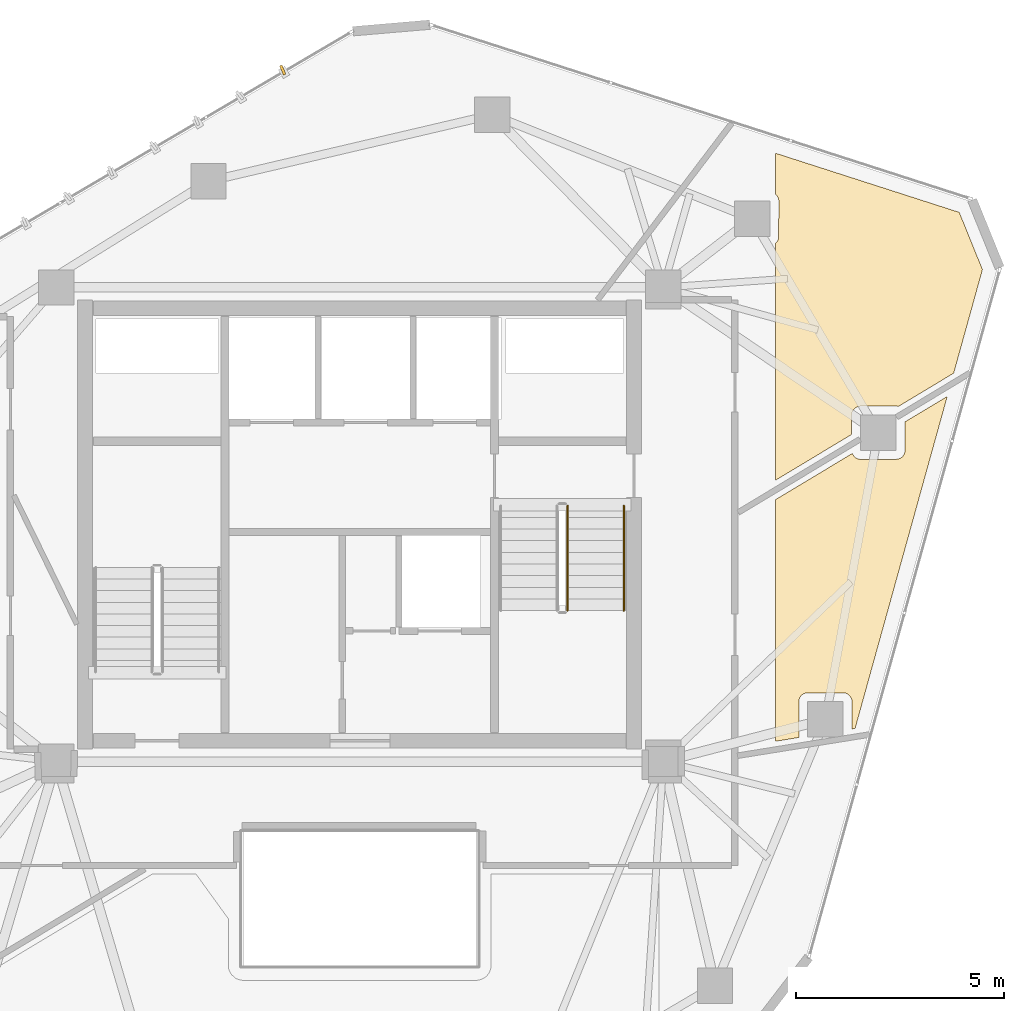
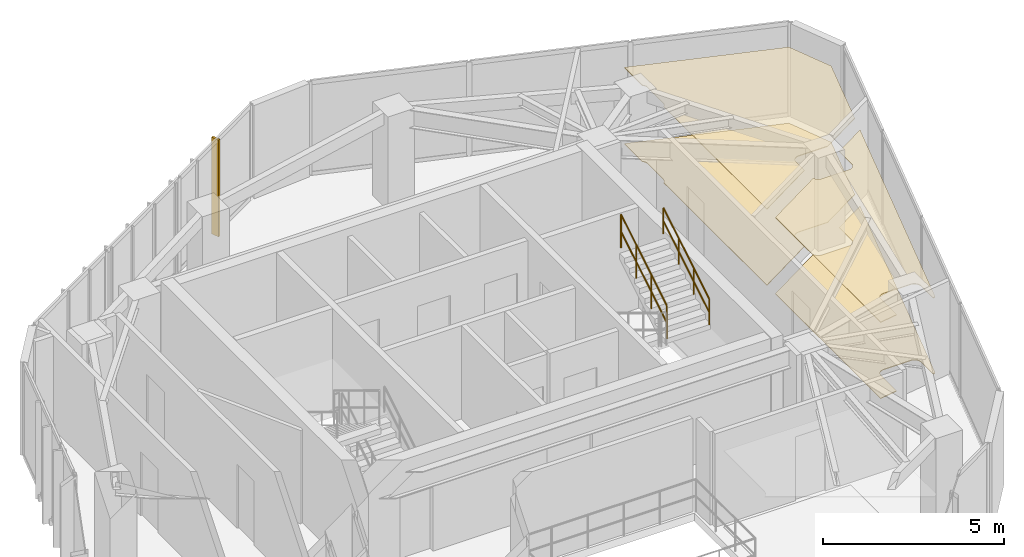
# One storey, part 20 of 20: 4 coverings, 2 railings, 1 shading device.
"""IFC4 building model written with IfcOpenShell, lengths in metres."""

from ifc_helpers import new_model, si_unit, direction, frame, origin, origin_2d, place, context, subcontext, project, spatial, polyline, rectangle, circle, outline, extrude, source, transform, mapped, material, layer, layer_set, type_object, type_shapes, element, save


model = new_model("IFC4")

# Units and contexts
model_context = context("Model", 3, precision=1e-05, world=origin(), true_north=direction((0.0, 1.0)))
body_context = subcontext(model_context, "Body", "Model", "MODEL_VIEW")
ifc_project = project(units=[si_unit("LENGTHUNIT", "METRE"), si_unit("AREAUNIT", "SQUARE_METRE"), si_unit("VOLUMEUNIT", "CUBIC_METRE"), si_unit("PLANEANGLEUNIT", "RADIAN"), si_unit("MASSUNIT", "GRAM", prefix="KILO")], contexts=[model_context])

# Site, building, storey
site_placement = place(None, origin())
site = spatial("IfcSite", under=ifc_project, at=site_placement, CompositionType="ELEMENT")
building_placement = place(site_placement, origin())
building = spatial("IfcBuilding", under=site, at=building_placement, Name="Talar Marvaseh", CompositionType="ELEMENT")
storey_placement = place(building_placement, frame((0.0, 0.0, 254.39990234375)))
storey = spatial("IfcBuildingStorey", under=building, at=storey_placement, Name="L67", CompositionType="ELEMENT", Elevation=254.39990234375)

# Railings
ifc_material_1 = material(Name="Stainless Steel Grade 316", Category="steel")
railing_type_1 = type_object("IfcRailingType", Name="Brushed Stainless Wall Pitch Handrail 900", PredefinedType="HANDRAIL", material=ifc_material_1)
railing_1_placement = place(storey_placement, frame((32.35009765625, 29.1298828125, 1.8701171875)))
element("IfcRailing", 1, at=railing_1_placement, inside=storey, type_object=railing_type_1, Name="L67 ST-2 stair handrail 2", PredefinedType="HANDRAIL", context=body_context, shape_type="SweptSolid", body=[
    extrude(circle(Radius=0.02392578125, at=origin_2d()), frame((0.0, 0.0, 0.8759765625), z_axis=(0.0, 0.85478489116, 0.518982456201), x_axis=(-1.0, 0.0, 0.0)), (0.0, 0.0, 1.0), 2.9482421875),
    extrude(circle(Radius=0.02392578125, at=origin_2d()), frame((0.0, 0.0, 0.42578125), z_axis=(0.0, 0.85478489116, 0.518982456201), x_axis=(-1.0, 0.0, 0.0)), (0.0, 0.0, 1.0), 2.9482421875),
    extrude(circle(Radius=0.02099609375, at=origin_2d()), origin(), (0.0, 0.0, 1.0), 0.851806640625),
    extrude(circle(Radius=0.02099609375, at=origin_2d()), frame((0.0, 0.840087890625, 0.510009765625)), (0.0, 0.0, 1.0), 0.851806640625),
    extrude(circle(Radius=0.02099609375, at=origin_2d()), frame((0.0, 1.679931640625, 1.02001953125)), (0.0, 0.0, 1.0), 0.851806640625),
    extrude(circle(Radius=0.02099609375, at=origin_2d()), frame((0.0, 2.52001953125, 1.530029296875)), (0.0, 0.0, 1.0), 0.851806640625),
])
railing_type_2 = type_object("IfcRailingType", Name="Painted Steel Core Stair Well Guardrail 1150", PredefinedType="GUARDRAIL", material=ifc_material_1)
railing_2_placement = place(storey_placement, frame((31.0, 29.1298828125, 1.8701171875)))
element("IfcRailing", 2, at=railing_2_placement, inside=storey, type_object=railing_type_2, Name="L67 ST-2 stair guard 3", PredefinedType="GUARDRAIL", context=body_context, shape_type="SweptSolid", body=[
    extrude(circle(Radius=0.02392578125, at=origin_2d()), frame((0.0, 0.0, 1.1259765625), z_axis=(0.0, 0.85478489116, 0.518982456201), x_axis=(-1.0, 0.0, 0.0)), (0.0, 0.0, 1.0), 2.9482421875),
    extrude(circle(Radius=0.02392578125, at=origin_2d()), frame((0.0, 0.0, 0.55078125), z_axis=(0.0, 0.85478489116, 0.518982456201), x_axis=(-1.0, 0.0, 0.0)), (0.0, 0.0, 1.0), 2.9482421875),
    extrude(circle(Radius=0.02099609375, at=origin_2d()), origin(), (0.0, 0.0, 1.0), 1.101806640625),
    extrude(circle(Radius=0.02099609375, at=origin_2d()), frame((0.0, 0.840087890625, 0.510009765625)), (0.0, 0.0, 1.0), 1.101806640625),
    extrude(circle(Radius=0.02099609375, at=origin_2d()), frame((0.0, 1.679931640625, 1.02001953125)), (0.0, 0.0, 1.0), 1.101806640625),
    extrude(circle(Radius=0.02099609375, at=origin_2d()), frame((0.0, 2.52001953125, 1.530029296875)), (0.0, 0.0, 1.0), 1.101806640625),
])

# Coverings
ifc_material_2 = material(Name="Mineral Fibre Acoustic Ceiling")
ifc_layer_1 = layer(ifc_material_2, 0.02490234375)
ifc_layer_set_1 = layer_set([ifc_layer_1], Name="Mineral Fibre Acoustic Ceiling")
covering_type_1 = type_object("IfcCoveringType", Name="Perforated Mineral Fibre Acoustic Suspended Ceiling", PredefinedType="CEILING", material=ifc_layer_set_1)
covering_1_placement = place(storey_placement, frame((0.0, 0.0, 2.56005859375)))
element("IfcCovering", 3, at=covering_1_placement, inside=storey, type_object=covering_type_1, Name="L67 Artisan Craft Showroom Acoustic Ceiling", PredefinedType="CEILING", context=body_context, shape_type="SweptSolid", body=[
    extrude(outline(polyline([(37.8486328125, 32.89892578125), (37.8583984375, 32.880126953125), (37.869873046875, 32.8623046875), (37.880615234375, 32.847900390625), (37.892333984375, 32.83349609375), (37.905517578125, 32.820068359375), (37.919921875, 32.80810546875), (37.935302734375, 32.797119140625), (37.95166015625, 32.7880859375), (37.96875, 32.780517578125), (37.986572265625, 32.7744140625), (38.004638671875, 32.77001953125), (38.023193359375, 32.767333984375), (38.0419921875, 32.7666015625), (38.90478515625, 32.7685546875), (38.92431640625, 32.76953125), (38.943603515625, 32.7724609375), (38.962646484375, 32.777099609375), (38.98095703125, 32.78369140625), (38.998779296875, 32.792236328125), (39.015380859375, 32.80224609375), (39.03125, 32.81396484375), (39.045654296875, 32.826904296875), (39.058837890625, 32.841552734375), (39.070556640625, 32.857177734375), (39.08056640625, 32.8740234375), (39.08740234375, 32.886474609375), (39.095703125, 32.904296875), (39.102294921875, 32.9228515625), (39.107177734375, 32.94189453125), (39.110107421875, 32.96142578125), (39.111083984375, 32.98095703125), (39.111083984375, 33.668212890625), (40.12646484375, 34.2783203125), (37.91162109375, 26.296142578125), (37.83349609375, 26.283447265625), (37.8369140625, 26.939453125), (37.836181640625, 26.9580078125), (37.83349609375, 26.9765625), (37.829345703125, 26.994873046875), (37.823486328125, 27.012451171875), (37.81591796875, 27.029541015625), (37.806884765625, 27.0458984375), (37.79638671875, 27.061279296875), (37.784423828125, 27.07568359375), (37.771240234375, 27.088623046875), (37.75634765625, 27.102294921875), (37.741943359375, 27.114013671875), (37.726806640625, 27.12451171875), (37.71044921875, 27.13330078125), (37.693603515625, 27.140869140625), (37.67578125, 27.146484375), (37.65771484375, 27.15087890625), (37.639404296875, 27.1533203125), (37.62109375, 27.154052734375), (36.760498046875, 27.149658203125), (36.74072265625, 27.1484375), (36.721435546875, 27.1455078125), (36.702392578125, 27.140625), (36.68408203125, 27.134033203125), (36.66650390625, 27.125732421875), (36.64990234375, 27.115478515625), (36.634033203125, 27.103759765625), (36.61962890625, 27.0908203125), (36.6064453125, 27.076171875), (36.594970703125, 27.060302734375), (36.5849609375, 27.043701171875), (36.576416015625, 27.02587890625), (36.570068359375, 27.007568359375), (36.565185546875, 26.988525390625), (36.5625, 26.968994140625), (36.561279296875, 26.94970703125), (36.561279296875, 26.078857421875), (36.0, 25.98828125), (36.0, 31.798828125), (37.84521484375, 32.90771484375), (37.8486328125, 32.89892578125)])), origin(), (0.0, 0.0, 1.0), 0.025146484375),
])
covering_2_placement = place(storey_placement, frame((0.0, 0.0, 2.56005859375)))
element("IfcCovering", 4, at=covering_2_placement, inside=storey, type_object=covering_type_1, Name="L67 Collection Conservation Store Acoustic Ceiling", PredefinedType="CEILING", context=body_context, shape_type="SweptSolid", body=[
    extrude(outline(polyline([(38.915283203125, 34.045166015625), (38.89697265625, 34.0458984375), (38.037109375, 34.04345703125), (38.017578125, 34.04248046875), (37.998291015625, 34.03955078125), (37.979248046875, 34.034912109375), (37.9609375, 34.0283203125), (37.943115234375, 34.019775390625), (37.926513671875, 34.009765625), (37.910888671875, 33.998046875), (37.896240234375, 33.98486328125), (37.88330078125, 33.970458984375), (37.87158203125, 33.95458984375), (37.861328125, 33.93798828125), (37.854736328125, 33.925537109375), (37.84619140625, 33.90771484375), (37.839599609375, 33.88916015625), (37.8349609375, 33.8701171875), (37.83203125, 33.8505859375), (37.8310546875, 33.8310546875), (37.8310546875, 33.36572265625), (36.0, 32.265625), (36.0, 37.96044921875), (36.0, 37.96044921875), (36.0146484375, 37.9736328125), (36.02783203125, 37.988037109375), (36.03955078125, 38.00390625), (36.0498046875, 38.0205078125), (36.05810546875, 38.0380859375), (36.064697265625, 38.056640625), (36.069580078125, 38.075439453125), (36.072509765625, 38.094970703125), (36.073486328125, 38.114501953125), (36.077880859375, 38.9765625), (36.0771484375, 38.9951171875), (36.07470703125, 39.013671875), (36.0703125, 39.03173828125), (36.064453125, 39.049560546875), (36.056884765625, 39.066650390625), (36.0478515625, 39.0830078125), (36.037353515625, 39.09814453125), (36.025390625, 39.112548828125), (36.01220703125, 39.125732421875), (36.0, 39.13671875), (36.0, 40.126708984375), (40.416015625, 38.705078125), (40.973388671875, 37.330322265625), (40.281982421875, 34.83837890625), (38.950927734375, 34.03857421875), (38.933837890625, 34.04248046875), (38.915283203125, 34.045166015625)])), origin(), (0.0, 0.0, 1.0), 0.025146484375),
])
ifc_material_3 = material(Name="Porcelain Stoneware Tile", Category="masonry")
ifc_layer_2 = layer(ifc_material_3, 0.02001953125)
ifc_layer_set_2 = layer_set([ifc_layer_2], Name="Porcelain Stoneware Tile")
covering_type_2 = type_object("IfcCoveringType", Name="Polished Porcelain Stoneware Gallery Flooring", PredefinedType="FLOORING", material=ifc_layer_set_2)
covering_3_placement = place(storey_placement, origin())
element("IfcCovering", 5, at=covering_3_placement, inside=storey, type_object=covering_type_2, Name="L67 Artisan Craft Showroom Flooring", PredefinedType="FLOORING", context=body_context, shape_type="SweptSolid", body=[
    extrude(outline(polyline([(37.8486328125, 32.89892578125), (37.8583984375, 32.880126953125), (37.869873046875, 32.8623046875), (37.880615234375, 32.847900390625), (37.892333984375, 32.83349609375), (37.905517578125, 32.820068359375), (37.919921875, 32.80810546875), (37.935302734375, 32.797119140625), (37.95166015625, 32.7880859375), (37.96875, 32.780517578125), (37.986572265625, 32.7744140625), (38.004638671875, 32.77001953125), (38.023193359375, 32.767333984375), (38.0419921875, 32.7666015625), (38.90478515625, 32.7685546875), (38.92431640625, 32.76953125), (38.943603515625, 32.7724609375), (38.962646484375, 32.777099609375), (38.98095703125, 32.78369140625), (38.998779296875, 32.792236328125), (39.015380859375, 32.80224609375), (39.03125, 32.81396484375), (39.045654296875, 32.826904296875), (39.058837890625, 32.841552734375), (39.070556640625, 32.857177734375), (39.08056640625, 32.8740234375), (39.08740234375, 32.886474609375), (39.095703125, 32.904296875), (39.102294921875, 32.9228515625), (39.107177734375, 32.94189453125), (39.110107421875, 32.96142578125), (39.111083984375, 32.98095703125), (39.111083984375, 33.668212890625), (40.12646484375, 34.2783203125), (37.91162109375, 26.296142578125), (37.83349609375, 26.283447265625), (37.8369140625, 26.939453125), (37.836181640625, 26.9580078125), (37.83349609375, 26.9765625), (37.829345703125, 26.994873046875), (37.823486328125, 27.012451171875), (37.81591796875, 27.029541015625), (37.806884765625, 27.0458984375), (37.79638671875, 27.061279296875), (37.784423828125, 27.07568359375), (37.771240234375, 27.088623046875), (37.75634765625, 27.102294921875), (37.741943359375, 27.114013671875), (37.726806640625, 27.12451171875), (37.71044921875, 27.13330078125), (37.693603515625, 27.140869140625), (37.67578125, 27.146484375), (37.65771484375, 27.15087890625), (37.639404296875, 27.1533203125), (37.62109375, 27.154052734375), (36.760498046875, 27.149658203125), (36.74072265625, 27.1484375), (36.721435546875, 27.1455078125), (36.702392578125, 27.140625), (36.68408203125, 27.134033203125), (36.66650390625, 27.125732421875), (36.64990234375, 27.115478515625), (36.634033203125, 27.103759765625), (36.61962890625, 27.0908203125), (36.6064453125, 27.076171875), (36.594970703125, 27.060302734375), (36.5849609375, 27.043701171875), (36.576416015625, 27.02587890625), (36.570068359375, 27.007568359375), (36.565185546875, 26.988525390625), (36.5625, 26.968994140625), (36.561279296875, 26.94970703125), (36.561279296875, 26.078857421875), (36.0, 25.98828125), (36.0, 31.798828125), (37.84521484375, 32.90771484375), (37.8486328125, 32.89892578125)])), origin(), (0.0, 0.0, 1.0), 0.02001953125),
])
covering_4_placement = place(storey_placement, origin())
element("IfcCovering", 6, at=covering_4_placement, inside=storey, type_object=covering_type_2, Name="L67 Collection Conservation Store Flooring", PredefinedType="FLOORING", context=body_context, shape_type="SweptSolid", body=[
    extrude(outline(polyline([(38.915283203125, 34.045166015625), (38.89697265625, 34.0458984375), (38.037109375, 34.04345703125), (38.017578125, 34.04248046875), (37.998291015625, 34.03955078125), (37.979248046875, 34.034912109375), (37.9609375, 34.0283203125), (37.943115234375, 34.019775390625), (37.926513671875, 34.009765625), (37.910888671875, 33.998046875), (37.896240234375, 33.98486328125), (37.88330078125, 33.970458984375), (37.87158203125, 33.95458984375), (37.861328125, 33.93798828125), (37.854736328125, 33.925537109375), (37.84619140625, 33.90771484375), (37.839599609375, 33.88916015625), (37.8349609375, 33.8701171875), (37.83203125, 33.8505859375), (37.8310546875, 33.8310546875), (37.8310546875, 33.36572265625), (36.0, 32.265625), (36.0, 37.96044921875), (36.0, 37.96044921875), (36.0146484375, 37.9736328125), (36.02783203125, 37.988037109375), (36.03955078125, 38.00390625), (36.0498046875, 38.0205078125), (36.05810546875, 38.0380859375), (36.064697265625, 38.056640625), (36.069580078125, 38.075439453125), (36.072509765625, 38.094970703125), (36.073486328125, 38.114501953125), (36.077880859375, 38.9765625), (36.0771484375, 38.9951171875), (36.07470703125, 39.013671875), (36.0703125, 39.03173828125), (36.064453125, 39.049560546875), (36.056884765625, 39.066650390625), (36.0478515625, 39.0830078125), (36.037353515625, 39.09814453125), (36.025390625, 39.112548828125), (36.01220703125, 39.125732421875), (36.0, 39.13671875), (36.0, 40.126708984375), (40.416015625, 38.705078125), (40.973388671875, 37.330322265625), (40.281982421875, 34.83837890625), (38.950927734375, 34.03857421875), (38.933837890625, 34.04248046875), (38.915283203125, 34.045166015625)])), origin(), (0.0, 0.0, 1.0), 0.02001953125),
])

# Shading device
ifc_material_4 = material(Name="Anodised Champagne Bronze Aluminium", Category="aluminium")
ifc_layer_3 = layer(ifc_material_4, 0.06494140625)
ifc_layer_set_3 = layer_set([ifc_layer_3], Name="Anodised Champagne Bronze Aluminium")
shading_device_type = type_object("IfcShadingDeviceType", Name="Sawtooth Champagne Bronze Vertical Fin 240", PredefinedType="USERDEFINED", material=ifc_layer_set_3)
shared_shape = source(origin(), body_context, "Body", "SweptSolid", [
    extrude(rectangle(XDim=0.239990234375, YDim=0.06494140625, at=origin_2d()), origin(), (0.0, 0.0, 1.0), 3.260009765625),
])
type_shapes(shading_device_type, [shared_shape])
shading_device_placement = place(storey_placement, frame((24.14892578125, 42.12744140625, -0.1201171875), z_axis=(0.0, 0.0, 1.0), x_axis=(-0.381554415263, 0.924346378904, 0.0)))
element("IfcShadingDevice", 7, at=shading_device_placement, inside=storey, type_object=shading_device_type, Name="L67 Sawtooth Vertical Solar Fin", ObjectType="FIN", PredefinedType="USERDEFINED", context=body_context, shape_type="MappedRepresentation", body=[
    mapped(shared_shape, transform((0.0, 0.0, 0.0), x_axis=(1.0, 0.0, 0.0), y_axis=(0.0, 1.0, 0.0), z_axis=(0.0, 0.0, 1.0), scale=1.0)),
])

save(model, "model.ifc")
